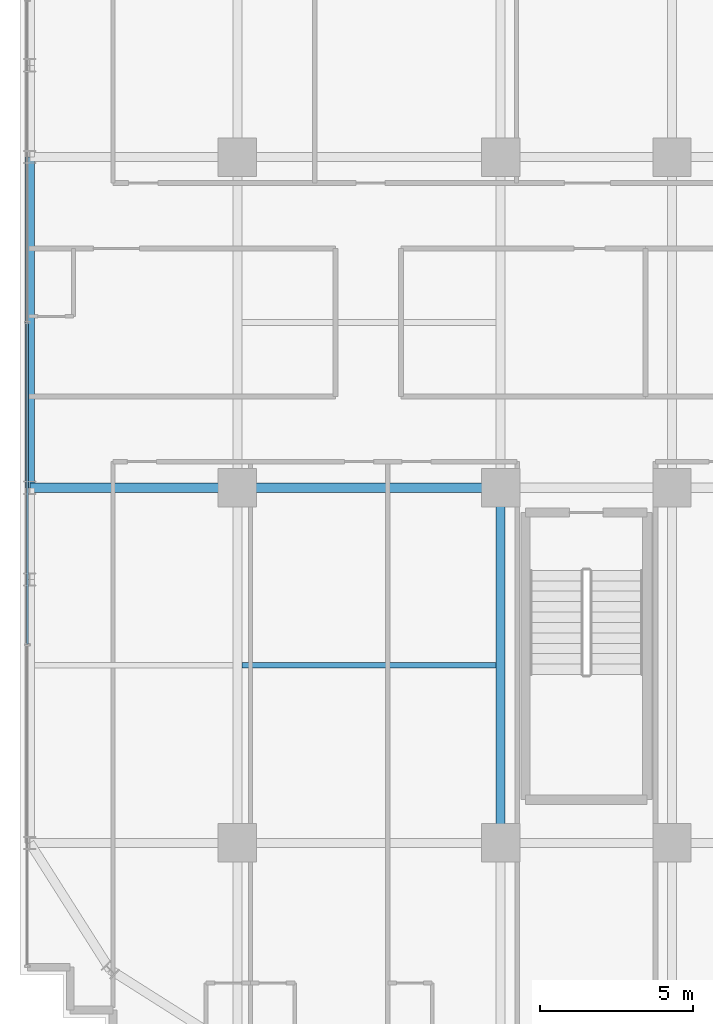
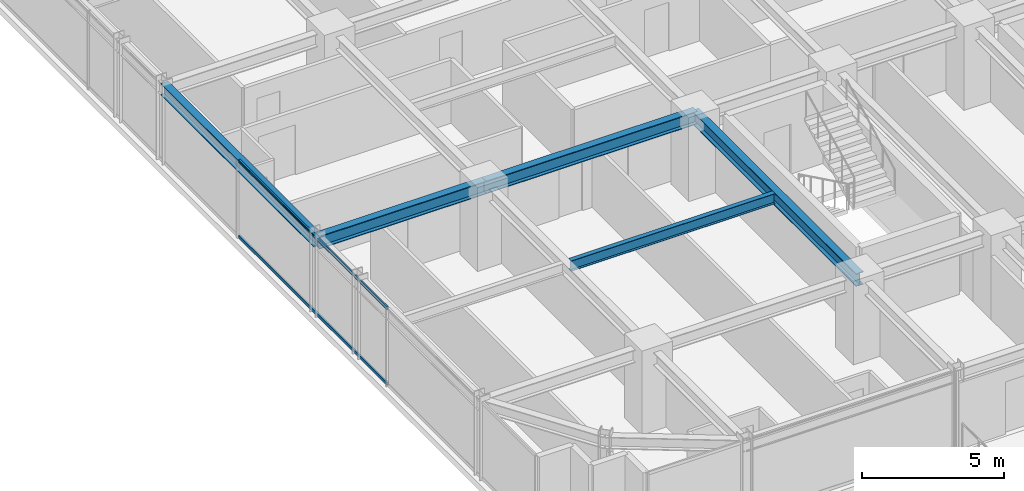
# One storey, part 8 of 33: 5 beams, 2 members, 1 element without a shape of its own.
"""IFC4 building model written with IfcOpenShell, lengths in metres."""

from ifc_helpers import new_model, si_unit, direction, frame, origin, origin_2d, place, context, subcontext, project, spatial, hollow_rectangle, i_section, extrude, source, transform, mapped, material, material_profile, profile_set, type_object, element, aggregate, save


model = new_model("IFC4")

# Units and contexts
model_context = context("Model", 3, precision=1e-05, world=origin(), true_north=direction((0.0, 1.0)))
body_context = subcontext(model_context, "Body", "Model", "MODEL_VIEW")
ifc_project = project(units=[si_unit("LENGTHUNIT", "METRE"), si_unit("AREAUNIT", "SQUARE_METRE"), si_unit("VOLUMEUNIT", "CUBIC_METRE"), si_unit("PLANEANGLEUNIT", "RADIAN"), si_unit("MASSUNIT", "GRAM", prefix="KILO")], contexts=[model_context])

# Site, building, storey
site_placement = place(None, origin())
site = spatial("IfcSite", under=ifc_project, at=site_placement, CompositionType="ELEMENT")
building_placement = place(site_placement, origin())
building = spatial("IfcBuilding", under=site, at=building_placement, Name="Nahalor Promenade Grand Hotel", CompositionType="ELEMENT")
storey_placement = place(building_placement, frame((0.0, 0.0, 117.5)))
storey = spatial("IfcBuildingStorey", under=building, at=storey_placement, Name="L29", CompositionType="ELEMENT", Elevation=117.5)

# Beams
ifc_material_1 = material(Name="Steel S355JR", Category="steel")
ifc_material_profile_1 = material_profile(ifc_material_1, i_section(OverallWidth=0.3, OverallDepth=0.5, WebThickness=0.0145, FlangeThickness=0.028, at=origin_2d()), Name="HEB 500")
ifc_profile_set_1 = profile_set([ifc_material_profile_1], Name="Steel S355JR")
beam_type_1 = type_object("IfcBeamType", Name="Beam-Spandrel-HEB500", PredefinedType="SPANDREL", material=ifc_profile_set_1)
shared_shape_1 = source(origin(), body_context, "Body", "SweptSolid", [
    extrude(i_section(OverallWidth=0.3, OverallDepth=0.5, WebThickness=0.0145, FlangeThickness=0.028, at=origin_2d()), origin(), (0.0, 0.0, 1.0), 10.7998046875),
])
beam_1_placement = place(storey_placement, frame((-23.780029296875, -5.39990234375, 3.1298828125), z_axis=(0.0, 1.0, 0.0), x_axis=(-1.0, 0.0, 0.0)))
element("IfcBeam", 1, at=beam_1_placement, inside=storey, type_object=beam_type_1, Name="BM-L29-SP-W-2", PredefinedType="SPANDREL", context=body_context, shape_type="MappedRepresentation", body=[
    mapped(shared_shape_1, transform((0.0, 0.0, 0.0), scale=1.0)),
])
ifc_material_profile_2 = material_profile(ifc_material_1, i_section(OverallWidth=0.3, OverallDepth=0.55, WebThickness=0.015, FlangeThickness=0.029, at=origin_2d()), Name="HEB 550")
ifc_profile_set_2 = profile_set([ifc_material_profile_2], Name="Steel S355JR")
beam_type_2 = type_object("IfcBeamType", Name="Beam-Girder-HEB550", PredefinedType="BEAM", material=ifc_profile_set_2)
shared_shape_2 = source(origin(), body_context, "Body", "SweptSolid", [
    extrude(i_section(OverallWidth=0.3, OverallDepth=0.55, WebThickness=0.015, FlangeThickness=0.029, at=origin_2d()), origin(), (0.0, 0.0, 1.0), 6.780029296875),
])
beam_2_placement = place(storey_placement, frame((-23.780029296875, -5.39990234375, 3.10498046875), z_axis=(1.0, 0.0, 0.0), x_axis=(0.0, 1.0, 0.0)))
element("IfcBeam", 2, at=beam_2_placement, inside=storey, type_object=beam_type_2, Name="BM-L29-GX-1-0", PredefinedType="BEAM", context=body_context, shape_type="MappedRepresentation", body=[
    mapped(shared_shape_2, transform((0.0, 0.0, 0.0), scale=1.0)),
])
shared_shape_3 = source(origin(), body_context, "Body", "SweptSolid", [
    extrude(i_section(OverallWidth=0.3, OverallDepth=0.55, WebThickness=0.015, FlangeThickness=0.029, at=origin_2d()), origin(), (0.0, 0.0, 1.0), 8.60009765625),
])
beam_3_placement = place(storey_placement, frame((-17.0, -5.39990234375, 3.10498046875), z_axis=(1.0, 0.0, 0.0), x_axis=(0.0, 1.0, 0.0)))
element("IfcBeam", 3, at=beam_3_placement, inside=storey, type_object=beam_type_2, Name="BM-L29-GX-1-1", PredefinedType="BEAM", context=body_context, shape_type="MappedRepresentation", body=[
    mapped(shared_shape_3, transform((0.0, 0.0, 0.0), scale=1.0)),
])
shared_shape_4 = source(origin(), body_context, "Body", "SweptSolid", [
    extrude(i_section(OverallWidth=0.3, OverallDepth=0.55, WebThickness=0.015, FlangeThickness=0.029, at=origin_2d()), origin(), (0.0, 0.0, 1.0), 11.60009765625),
])
beam_4_placement = place(storey_placement, frame((-8.39990234375, -17.0, 3.10498046875), z_axis=(0.0, 1.0, 0.0), x_axis=(-1.0, 0.0, 0.0)))
element("IfcBeam", 4, at=beam_4_placement, inside=storey, type_object=beam_type_2, Name="BM-L29-GY-1-1", PredefinedType="BEAM", context=body_context, shape_type="MappedRepresentation", body=[
    mapped(shared_shape_4, transform((0.0, 0.0, 0.0), scale=1.0)),
])
ifc_material_profile_3 = material_profile(ifc_material_1, i_section(OverallWidth=0.19, OverallDepth=0.45, WebThickness=0.0094, FlangeThickness=0.0146, at=origin_2d()), Name="IPE 450")
ifc_profile_set_3 = profile_set([ifc_material_profile_3], Name="Steel S355JR")
beam_type_3 = type_object("IfcBeamType", Name="Beam-Joist-IPE450", PredefinedType="JOIST", material=ifc_profile_set_3)
shared_shape_5 = source(origin(), body_context, "Body", "SweptSolid", [
    extrude(i_section(OverallWidth=0.19, OverallDepth=0.45, WebThickness=0.0094, FlangeThickness=0.0146, at=origin_2d()), origin(), (0.0, 0.0, 1.0), 8.300048828125),
])
beam_5_placement = place(storey_placement, frame((-16.85009765625, -11.199951171875, 3.155029296875), z_axis=(1.0, 0.0, 0.0), x_axis=(0.0, 1.0, 0.0)))
element("IfcBeam", 5, at=beam_5_placement, inside=storey, type_object=beam_type_3, Name="BM-L29-JSW-0-1", PredefinedType="JOIST", context=body_context, shape_type="MappedRepresentation", body=[
    mapped(shared_shape_5, transform((0.0, 0.0, 0.0), scale=1.0)),
])

# Curtain wall, members
ifc_material_2 = material(Name="Anodised Bronze Aluminium EN AW-6063 T6", Category="aluminium")
curtain_wall_type = type_object("IfcCurtainWallType", Name="CW2 Typical Hotel Flush Bronze Unitised Curtain Wall", PredefinedType="USERDEFINED", material=ifc_material_2)
curtain_wall_placement = place(storey_placement, origin())
curtain_wall = element("IfcCurtainWall", 6, at=curtain_wall_placement, inside=storey, type_object=curtain_wall_type, Name="L29 Curtain Wall CW-L29-W-1", ObjectType="UNITISED_CURTAIN_WALL", PredefinedType="USERDEFINED")
ifc_material_profile_4 = material_profile(ifc_material_2, hollow_rectangle(XDim=0.065, YDim=0.13, WallThickness=0.004, at=origin_2d()), Name="CWT 65x130x4")
ifc_profile_set_4 = profile_set([ifc_material_profile_4], Name="Anodised Bronze Aluminium EN AW-6063 T6")
member_type = type_object("IfcMemberType", Name="CWT2 Typical Bronze Transom 65x130", PredefinedType="USERDEFINED", material=ifc_profile_set_4)
shared_shape_6 = source(origin(), body_context, "Body", "SweptSolid", [
    extrude(hollow_rectangle(XDim=0.065, YDim=0.13, WallThickness=0.004, at=origin_2d()), origin(), (0.0, 0.0, 1.0), 10.465087890625),
])
member_1_placement = place(storey_placement, frame((-23.860107421875, -10.49755859375, 0.06494140625), z_axis=(0.0, 1.0, 0.0), x_axis=(-1.0, 0.0, 0.0)))
member_1 = element("IfcMember", 7, at=member_1_placement, type_object=member_type, Name="CW-L29-W-1 Transom 1-0", ObjectType="TRANSOM", PredefinedType="USERDEFINED", context=body_context, shape_type="MappedRepresentation", body=[
    mapped(shared_shape_6, transform((0.0, 0.0, 0.0), scale=1.0)),
])
member_2_placement = place(storey_placement, frame((-23.860107421875, -10.49755859375, 3.31494140625), z_axis=(0.0, 1.0, 0.0), x_axis=(-1.0, 0.0, 0.0)))
member_2 = element("IfcMember", 8, at=member_2_placement, type_object=member_type, Name="CW-L29-W-1 Transom 1-1", ObjectType="TRANSOM", PredefinedType="USERDEFINED", context=body_context, shape_type="MappedRepresentation", body=[
    mapped(shared_shape_6, transform((0.0, 0.0, 0.0), scale=1.0)),
])
aggregate(curtain_wall, [member_1, member_2])

save(model, "model.ifc")
